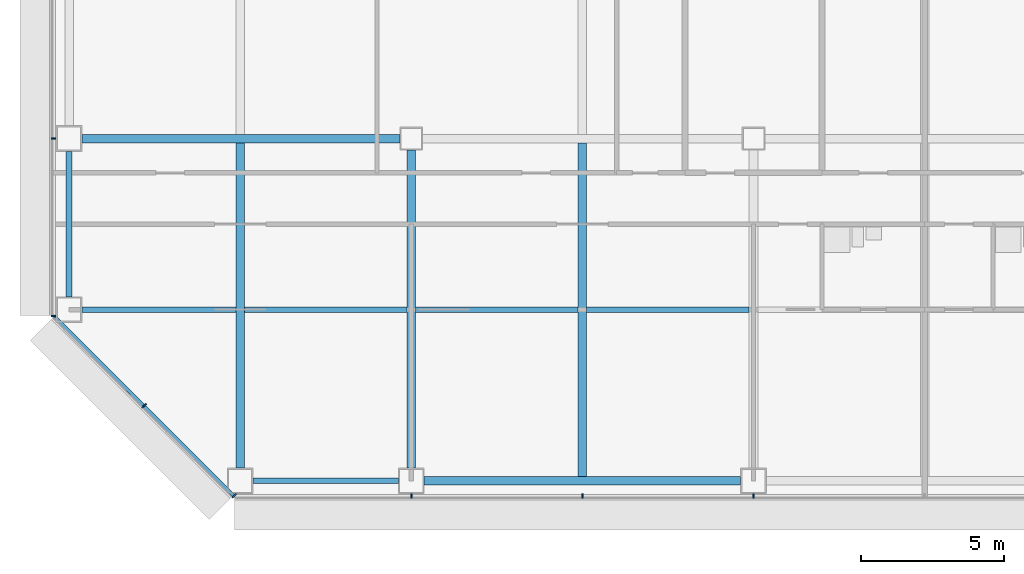
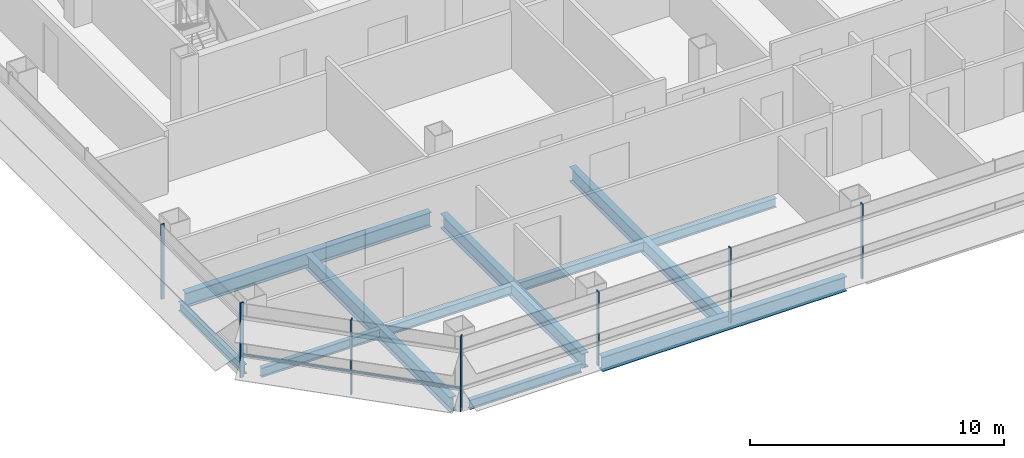
# One storey, part 2 of 26: 11 beams, 8 members, 3 elements without a shape of their own.
"""IFC4 building model written with IfcOpenShell, lengths in metres."""

from ifc_helpers import new_model, si_unit, direction, frame, origin, origin_2d, place, context, subcontext, project, spatial, rectangle, i_section, extrude, material, material_profile, profile_set, type_object, element, aggregate, save


model = new_model("IFC4")

# Units and contexts
model_context = context("Model", 3, precision=1e-05, world=origin(), true_north=direction((0.0, 1.0)))
body_context = subcontext(model_context, "Body", "Model", "MODEL_VIEW")
ifc_project = project(units=[si_unit("LENGTHUNIT", "METRE"), si_unit("AREAUNIT", "SQUARE_METRE"), si_unit("VOLUMEUNIT", "CUBIC_METRE"), si_unit("PLANEANGLEUNIT", "RADIAN"), si_unit("MASSUNIT", "GRAM", prefix="KILO")], contexts=[model_context])

# Site, building, storey
site_placement = place(None, origin())
site = spatial("IfcSite", under=ifc_project, at=site_placement, CompositionType="ELEMENT")
building_placement = place(site_placement, origin())
building = spatial("IfcBuilding", under=site, at=building_placement, Name="Sorahane Residences", CompositionType="ELEMENT")
storey_placement = place(building_placement, frame((0.0, 0.0, 71.39990234375)))
storey = spatial("IfcBuildingStorey", under=building, at=storey_placement, Name="L14", CompositionType="ELEMENT", Elevation=71.39990234375)

# Curtain wall, members
ifc_material_1 = material(Name="Dark low-e glass and black anodised aluminium", Category="aluminium")
curtain_wall_type_1 = type_object("IfcCurtainWallType", Name="Curtain wall CW-1 Typical unitised wall", PredefinedType="NOTDEFINED", material=ifc_material_1)
curtain_wall_1_placement = place(storey_placement, origin())
curtain_wall_1 = element("IfcCurtainWall", 1, at=curtain_wall_1_placement, inside=storey, type_object=curtain_wall_type_1, Name="CW-1 curtain wall L14 S1", PredefinedType="NOTDEFINED")
ifc_material_2 = material(Name="Black anodised aluminium", Category="aluminium")
ifc_material_profile_1 = material_profile(ifc_material_2, rectangle(XDim=0.159912109375, YDim=0.050048828125, at=origin_2d()), Name="Curtain wall mullion CW-1 black anodised aluminium 50x160")
ifc_profile_set_1 = profile_set([ifc_material_profile_1], Name="Black anodised aluminium")
member_type_1 = type_object("IfcMemberType", Name="Curtain wall mullion CW-1 black anodised aluminium 50x160", PredefinedType="MULLION", material=ifc_profile_set_1)
member_1_placement = place(storey_placement, frame((12.0, -0.5400390625, -0.179931640625), z_axis=(0.0, 0.0, 1.0), x_axis=(0.0, -1.0, 0.0)))
member_1 = element("IfcMember", 2, at=member_1_placement, type_object=member_type_1, Name="CW-1 mullion L14 S1.2", PredefinedType="MULLION", context=body_context, shape_type="SweptSolid", body=[
    extrude(rectangle(XDim=0.159912109375, YDim=0.050048828125, at=origin_2d()), origin(), (0.0, 0.0, 1.0), 3.60009765625),
])
member_2_placement = place(storey_placement, frame((18.0, -0.5400390625, -0.179931640625), z_axis=(0.0, 0.0, 1.0), x_axis=(0.0, -1.0, 0.0)))
member_2 = element("IfcMember", 3, at=member_2_placement, type_object=member_type_1, Name="CW-1 mullion L14 S1.3", PredefinedType="MULLION", context=body_context, shape_type="SweptSolid", body=[
    extrude(rectangle(XDim=0.159912109375, YDim=0.050048828125, at=origin_2d()), origin(), (0.0, 0.0, 1.0), 3.60009765625),
])
member_3_placement = place(storey_placement, frame((24.0, -0.5400390625, -0.179931640625), z_axis=(0.0, 0.0, 1.0), x_axis=(0.0, -1.0, 0.0)))
member_3 = element("IfcMember", 4, at=member_3_placement, type_object=member_type_1, Name="CW-1 mullion L14 S1.4", PredefinedType="MULLION", context=body_context, shape_type="SweptSolid", body=[
    extrude(rectangle(XDim=0.159912109375, YDim=0.050048828125, at=origin_2d()), origin(), (0.0, 0.0, 1.0), 3.60009765625),
])
aggregate(curtain_wall_1, [member_1, member_2, member_3])

curtain_wall_2_placement = place(storey_placement, origin())
curtain_wall_2 = element("IfcCurtainWall", 5, at=curtain_wall_2_placement, inside=storey, type_object=curtain_wall_type_1, Name="CW-1 curtain wall L14 W1", PredefinedType="NOTDEFINED")
member_4_placement = place(storey_placement, frame((-0.5400390625, 12.0, -0.179931640625), z_axis=(0.0, 0.0, 1.0), x_axis=(-1.0, 0.0, 0.0)))
member_4 = element("IfcMember", 6, at=member_4_placement, type_object=member_type_1, Name="CW-1 mullion L14 W1.6", PredefinedType="MULLION", context=body_context, shape_type="SweptSolid", body=[
    extrude(rectangle(XDim=0.159912109375, YDim=0.050048828125, at=origin_2d()), origin(), (0.0, 0.0, 1.0), 3.60009765625),
])
member_5_placement = place(storey_placement, frame((-0.5400390625, 5.7763671875, -0.179931640625), z_axis=(0.0, 0.0, 1.0), x_axis=(-1.0, 0.0, 0.0)))
member_5 = element("IfcMember", 7, at=member_5_placement, type_object=member_type_1, Name="CW-1 mullion L14 W1.7", PredefinedType="MULLION", context=body_context, shape_type="SweptSolid", body=[
    extrude(rectangle(XDim=0.159912109375, YDim=0.050048828125, at=origin_2d()), origin(), (0.0, 0.0, 1.0), 3.60009765625),
])
aggregate(curtain_wall_2, [member_4, member_5])

ifc_material_3 = material(Name="Dark low-e glass and black anodised aluminium", Category="aluminium")
curtain_wall_type_2 = type_object("IfcCurtainWallType", Name="Curtain wall CW-2 Chamfer unitised wall", PredefinedType="NOTDEFINED", material=ifc_material_3)
curtain_wall_3_placement = place(storey_placement, origin())
curtain_wall_3 = element("IfcCurtainWall", 8, at=curtain_wall_3_placement, inside=storey, type_object=curtain_wall_type_2, Name="CW-2 curtain wall L14 SW1", PredefinedType="NOTDEFINED")
ifc_material_4 = material(Name="Black anodised aluminium", Category="aluminium")
ifc_material_profile_2 = material_profile(ifc_material_4, rectangle(XDim=0.199951171875, YDim=0.050048828125, at=origin_2d()), Name="Curtain wall mullion CW-2 black anodised aluminium 50x200")
ifc_profile_set_2 = profile_set([ifc_material_profile_2], Name="Black anodised aluminium")
member_type_2 = type_object("IfcMemberType", Name="Curtain wall mullion CW-2 black anodised aluminium 50x200", PredefinedType="MULLION", material=ifc_profile_set_2)
member_6_placement = place(storey_placement, frame((2.63232421875, 2.63232421875, -0.179931640625), z_axis=(0.0, 0.0, 1.0), x_axis=(-0.707106781187, -0.707106781187, 0.0)))
member_6 = element("IfcMember", 9, at=member_6_placement, type_object=member_type_2, Name="CW-2 mullion L14 SW1.2", PredefinedType="MULLION", context=body_context, shape_type="SweptSolid", body=[
    extrude(rectangle(XDim=0.199951171875, YDim=0.050048828125, at=origin_2d()), origin(), (0.0, 0.0, 1.0), 3.60009765625),
])
member_7_placement = place(storey_placement, frame((5.790283203125, -0.525634765625, -0.179931640625), z_axis=(0.0, 0.0, 1.0), x_axis=(-0.707106781187, -0.707106781187, 0.0)))
member_7 = element("IfcMember", 10, at=member_7_placement, type_object=member_type_2, Name="CW-2 mullion L14 SW1.3", PredefinedType="MULLION", context=body_context, shape_type="SweptSolid", body=[
    extrude(rectangle(XDim=0.199951171875, YDim=0.050048828125, at=origin_2d()), origin(), (0.0, 0.0, 1.0), 3.60009765625),
])
ifc_material_5 = material(Name="Black anodised aluminium", Category="aluminium")
ifc_material_profile_3 = material_profile(ifc_material_5, rectangle(XDim=0.10009765625, YDim=0.06005859375, at=origin_2d()), Name="Curtain wall transom CW-2 black anodised aluminium 60x100")
ifc_profile_set_3 = profile_set([ifc_material_profile_3], Name="Black anodised aluminium")
member_type_3 = type_object("IfcMemberType", Name="Curtain wall transom CW-2 black anodised aluminium 60x100", PredefinedType="USERDEFINED", material=ifc_profile_set_3)
member_8_placement = place(storey_placement, frame((-0.51513671875, 5.765625, 0.900146484375), z_axis=(0.707106781187, -0.707106781187, 0.0), x_axis=(0.707106781187, 0.707106781187, 0.0)))
member_8 = element("IfcMember", 11, at=member_8_placement, type_object=member_type_3, Name="CW-2 transom L14 SW1", ObjectType="TRANSOM", PredefinedType="USERDEFINED", context=body_context, shape_type="SweptSolid", body=[
    extrude(rectangle(XDim=0.10009765625, YDim=0.06005859375, at=origin_2d()), origin(), (0.0, 0.0, 1.0), 8.88232421875),
])
aggregate(curtain_wall_3, [member_6, member_7, member_8])

# Beams
ifc_material_6 = material(Name="Steel Q355B", Category="steel")
ifc_material_profile_4 = material_profile(ifc_material_6, i_section(OverallWidth=0.199951171875, OverallDepth=0.449951171875, WebThickness=0.009033203125, FlangeThickness=0.013916015625, FilletRadius=0.02001953125, at=origin_2d()), Name="HN 450x200x9x14")
ifc_profile_set_4 = profile_set([ifc_material_profile_4], Name="Steel Q355B")
beam_type_1 = type_object("IfcBeamType", Name="Steel floor beam HN 450x200x9x14 Q355B", PredefinedType="BEAM", material=ifc_profile_set_4)
for number, where, z_axis, x_axis, name in (
    (12, (6.449951171875, 0.0, -0.40478515625), (1.0, 0.0, 0.0), (0.0, 1.0, 0.0), "Beam L14 000"),
    (13, (0.0, 6.449951171875, -0.40478515625), (0.0, 1.0, 0.0), (-1.0, 0.0, 0.0), "Beam L14 017"),
):
    element("IfcBeam", number, at=place(storey_placement, frame(where, z_axis=z_axis, x_axis=x_axis)), inside=storey, type_object=beam_type_1, Name=name, PredefinedType="BEAM", context=body_context, shape_type="SweptSolid", body=[
        extrude(i_section(OverallWidth=0.199951171875, OverallDepth=0.449951171875, WebThickness=0.009033203125, FlangeThickness=0.013916015625, FilletRadius=0.02001953125, at=origin_2d()), origin(), (0.0, 0.0, 1.0), 5.10009765625),
    ])
beam_1_placement = place(storey_placement, frame((0.449951171875, 6.0, -0.40478515625), z_axis=(1.0, 0.0, 0.0), x_axis=(0.0, 1.0, 0.0)))
element("IfcBeam", 14, at=beam_1_placement, inside=storey, type_object=beam_type_1, Name="Beam L14 061", PredefinedType="BEAM", context=body_context, shape_type="SweptSolid", body=[
    extrude(i_section(OverallWidth=0.199951171875, OverallDepth=0.449951171875, WebThickness=0.009033203125, FlangeThickness=0.013916015625, FilletRadius=0.02001953125, at=origin_2d()), origin(), (0.0, 0.0, 1.0), 5.400146484375),
])
for number, where, z_axis, x_axis, name in (
    (15, (6.14990234375, 6.0, -0.40478515625), (1.0, 0.0, 0.0), (0.0, 1.0, 0.0), "Beam L14 062"),
    (16, (12.14990234375, 6.0, -0.40478515625), (1.0, 0.0, 0.0), (0.0, 1.0, 0.0), "Beam L14 063"),
    (17, (18.14990234375, 6.0, -0.40478515625), (1.0, 0.0, 0.0), (0.0, 1.0, 0.0), "Beam L14 064"),
):
    element("IfcBeam", number, at=place(storey_placement, frame(where, z_axis=z_axis, x_axis=x_axis)), inside=storey, type_object=beam_type_1, Name=name, PredefinedType="BEAM", context=body_context, shape_type="SweptSolid", body=[
        extrude(i_section(OverallWidth=0.199951171875, OverallDepth=0.449951171875, WebThickness=0.009033203125, FlangeThickness=0.013916015625, FilletRadius=0.02001953125, at=origin_2d()), origin(), (0.0, 0.0, 1.0), 5.7001953125),
    ])
ifc_material_7 = material(Name="Steel Q355B", Category="steel")
ifc_material_profile_5 = material_profile(ifc_material_7, i_section(OverallWidth=0.300048828125, OverallDepth=0.699951171875, WebThickness=0.012939453125, FlangeThickness=0.02392578125, FilletRadius=0.028076171875, at=origin_2d()), Name="HN 700x300x13x24")
ifc_profile_set_5 = profile_set([ifc_material_profile_5], Name="Steel Q355B")
beam_type_2 = type_object("IfcBeamType", Name="Steel floor beam HN 700x300x13x24 Q355B", PredefinedType="BEAM", material=ifc_profile_set_5)
beam_2_placement = place(storey_placement, frame((12.449951171875, 0.0, -0.52978515625), z_axis=(1.0, 0.0, 0.0), x_axis=(0.0, 1.0, 0.0)))
element("IfcBeam", 18, at=beam_2_placement, inside=storey, type_object=beam_type_2, Name="Beam L14 001", PredefinedType="BEAM", context=body_context, shape_type="SweptSolid", body=[
    extrude(i_section(OverallWidth=0.300048828125, OverallDepth=0.699951171875, WebThickness=0.012939453125, FlangeThickness=0.02392578125, FilletRadius=0.028076171875, at=origin_2d()), origin(), (0.0, 0.0, 1.0), 11.10009765625),
])
beam_3_placement = place(storey_placement, frame((0.449951171875, 12.0, -0.52978515625), z_axis=(1.0, 0.0, 0.0), x_axis=(0.0, 1.0, 0.0)))
element("IfcBeam", 19, at=beam_3_placement, inside=storey, type_object=beam_type_2, Name="Beam L14 005", PredefinedType="BEAM", context=body_context, shape_type="SweptSolid", body=[
    extrude(i_section(OverallWidth=0.300048828125, OverallDepth=0.699951171875, WebThickness=0.012939453125, FlangeThickness=0.02392578125, FilletRadius=0.028076171875, at=origin_2d()), origin(), (0.0, 0.0, 1.0), 11.150146484375),
])
beam_4_placement = place(storey_placement, frame((6.0, 0.449951171875, -0.52978515625), z_axis=(0.0, 1.0, 0.0), x_axis=(-1.0, 0.0, 0.0)))
element("IfcBeam", 20, at=beam_4_placement, inside=storey, type_object=beam_type_2, Name="Beam L14 021", PredefinedType="BEAM", context=body_context, shape_type="SweptSolid", body=[
    extrude(i_section(OverallWidth=0.300048828125, OverallDepth=0.699951171875, WebThickness=0.012939453125, FlangeThickness=0.02392578125, FilletRadius=0.028076171875, at=origin_2d()), origin(), (0.0, 0.0, 1.0), 11.400146484375),
])
beam_5_placement = place(storey_placement, frame((12.0, 0.449951171875, -0.52978515625), z_axis=(0.0, 1.0, 0.0), x_axis=(-1.0, 0.0, 0.0)))
element("IfcBeam", 21, at=beam_5_placement, inside=storey, type_object=beam_type_2, Name="Beam L14 027", PredefinedType="BEAM", context=body_context, shape_type="SweptSolid", body=[
    extrude(i_section(OverallWidth=0.300048828125, OverallDepth=0.699951171875, WebThickness=0.012939453125, FlangeThickness=0.02392578125, FilletRadius=0.028076171875, at=origin_2d()), origin(), (0.0, 0.0, 1.0), 11.150146484375),
])
beam_6_placement = place(storey_placement, frame((18.0, 0.14990234375, -0.52978515625), z_axis=(0.0, 1.0, 0.0), x_axis=(-1.0, 0.0, 0.0)))
element("IfcBeam", 22, at=beam_6_placement, inside=storey, type_object=beam_type_2, Name="Beam L14 029", PredefinedType="BEAM", context=body_context, shape_type="SweptSolid", body=[
    extrude(i_section(OverallWidth=0.300048828125, OverallDepth=0.699951171875, WebThickness=0.012939453125, FlangeThickness=0.02392578125, FilletRadius=0.028076171875, at=origin_2d()), origin(), (0.0, 0.0, 1.0), 11.7001953125),
])

save(model, "model.ifc")
